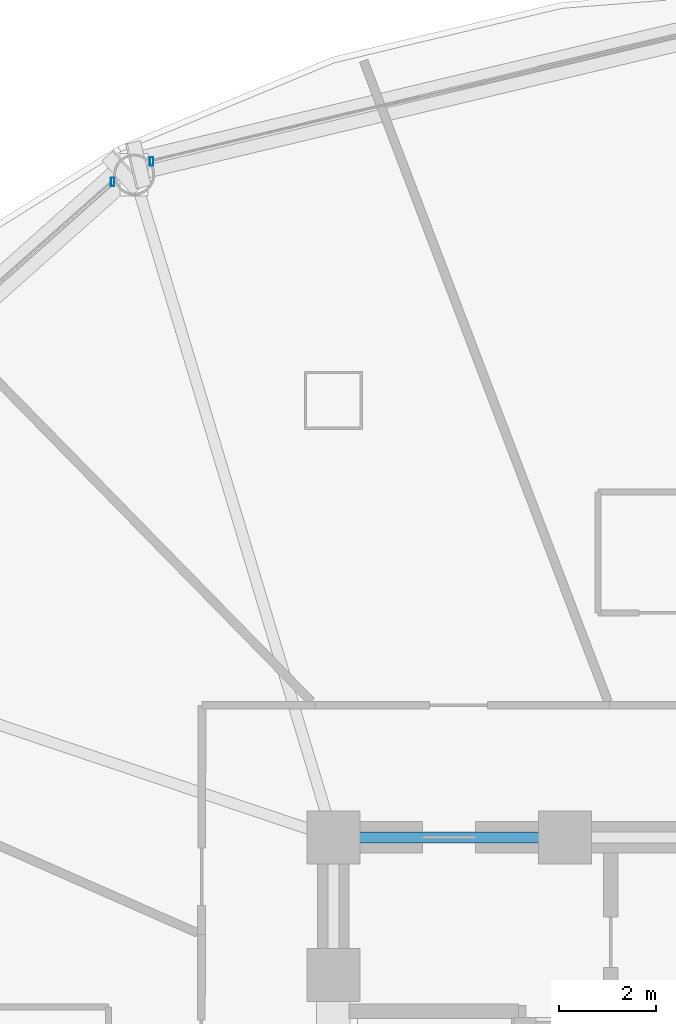
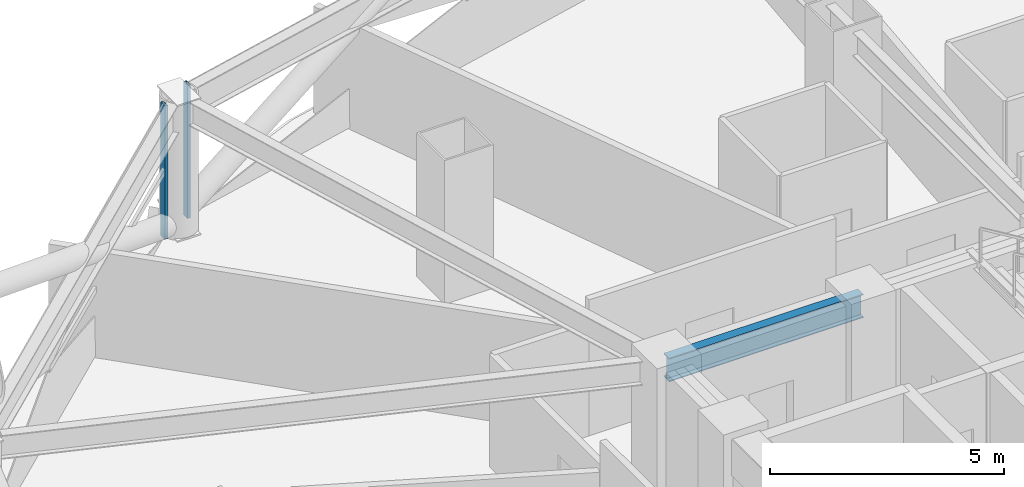
# One storey, part 15 of 30: 2 members, 1 beam, 2 elements without a shape of their own.
"""IFC4 building model written with IfcOpenShell, lengths in metres."""

from ifc_helpers import new_model, si_unit, direction, frame, origin, origin_2d, place, context, subcontext, project, spatial, hollow_rectangle, i_section, extrude, material, layer, layer_set, material_profile, profile_set, type_object, element, aggregate, save


model = new_model("IFC4")

# Units and contexts
model_context = context("Model", 3, precision=1e-05, world=origin(), true_north=direction((0.0, 1.0)))
body_context = subcontext(model_context, "Body", "Model", "MODEL_VIEW")
ifc_project = project(units=[si_unit("LENGTHUNIT", "METRE"), si_unit("AREAUNIT", "SQUARE_METRE"), si_unit("VOLUMEUNIT", "CUBIC_METRE"), si_unit("PLANEANGLEUNIT", "RADIAN"), si_unit("MASSUNIT", "GRAM", prefix="KILO")], contexts=[model_context])

# Site, building, storey
site_placement = place(None, origin())
site = spatial("IfcSite", under=ifc_project, at=site_placement, CompositionType="ELEMENT")
building_placement = place(site_placement, origin())
building = spatial("IfcBuilding", under=site, at=building_placement, Name="Vantalir Tower", CompositionType="ELEMENT")
storey_placement = place(building_placement, frame((0.0, 0.0, 57.0)))
storey = spatial("IfcBuildingStorey", under=building, at=storey_placement, Name="L13", CompositionType="ELEMENT", Elevation=57.0)

# Beam
ifc_material_1 = material(Name="Steel S355", Category="steel")
ifc_material_profile_1 = material_profile(ifc_material_1, i_section(OverallWidth=0.22998046875, OverallDepth=0.616943359375, WebThickness=0.01318359375, FlangeThickness=0.022216796875, at=origin_2d()), Name="Steel S355")
ifc_profile_set_1 = profile_set([ifc_material_profile_1], Name="Steel S355")
beam_type = type_object("IfcBeamType", Name="BM-RB-610x229", PredefinedType="BEAM", material=ifc_profile_set_1)
beam_placement = place(storey_placement, frame((26.699951171875, 32.449951171875, 3.261962890625), z_axis=(-1.0, 0.0, 0.0), x_axis=(0.0, -1.0, 0.0)))
element("IfcBeam", 1, at=beam_placement, inside=storey, type_object=beam_type, Name="L13 Core Coupling Girder 11", PredefinedType="BEAM", context=body_context, shape_type="SweptSolid", body=[
    extrude(i_section(OverallWidth=0.22998046875, OverallDepth=0.616943359375, WebThickness=0.01318359375, FlangeThickness=0.022216796875, at=origin_2d()), origin(), (0.0, 0.0, 1.0), 4.800048828125),
])

# Curtain wall, member
ifc_material_2 = material(Name="Champagne-silver PVDF aluminium and double-silver Low-E glass", Category="aluminium")
ifc_layer = layer(ifc_material_2, 0.18994140625)
ifc_layer_set = layer_set([ifc_layer], Name="Champagne-silver PVDF aluminium and double-silver Low-E glass")
curtain_wall_type = type_object("IfcCurtainWallType", Name="CW-DIAMOND-Z1", PredefinedType="USERDEFINED", material=ifc_layer_set)
curtain_wall_1_placement = place(storey_placement, origin())
curtain_wall_1 = element("IfcCurtainWall", 2, at=curtain_wall_1_placement, inside=storey, type_object=curtain_wall_type, Name="L13 Quilted Pyramid-Diamond Curtain Wall S04", ObjectType="UNITISED CURTAIN WALL", PredefinedType="USERDEFINED")
ifc_material_3 = material(Name="Champagne-silver PVDF aluminium 6063-T6", Category="aluminium")
ifc_material_profile_2 = material_profile(ifc_material_3, hollow_rectangle(XDim=0.074951171875, YDim=0.179931640625, WallThickness=0.00390625, at=origin_2d()), Name="Champagne-silver PVDF aluminium 6063-T6")
ifc_profile_set_2 = profile_set([ifc_material_profile_2], Name="Champagne-silver PVDF aluminium 6063-T6")
member_type = type_object("IfcMemberType", Name="CWM-180x75", PredefinedType="MULLION", material=ifc_profile_set_2)
member_1_placement = place(storey_placement, frame((18.136962890625, 46.448974609375, 0.044921875), z_axis=(0.0, 0.0, 1.0), x_axis=(1.0, 0.0, 0.0)))
member_1 = element("IfcMember", 3, at=member_1_placement, type_object=member_type, Name="CW-L13-S04 Mullion 2", PredefinedType="MULLION", context=body_context, shape_type="SweptSolid", body=[
    extrude(hollow_rectangle(XDim=0.074951171875, YDim=0.179931640625, WallThickness=0.00390625, at=origin_2d()), origin(), (0.0, 0.0, 1.0), 3.47998046875),
])
aggregate(curtain_wall_1, [member_1])

curtain_wall_2_placement = place(storey_placement, origin())
curtain_wall_2 = element("IfcCurtainWall", 4, at=curtain_wall_2_placement, inside=storey, type_object=curtain_wall_type, Name="L13 Quilted Pyramid-Diamond Curtain Wall S05", ObjectType="UNITISED CURTAIN WALL", PredefinedType="USERDEFINED")
member_2_placement = place(storey_placement, frame((17.3291015625, 46.027099609375, 0.044921875), z_axis=(0.0, 0.0, 1.0), x_axis=(1.0, 0.0, 0.0)))
member_2 = element("IfcMember", 5, at=member_2_placement, type_object=member_type, Name="CW-L13-S05 Mullion 1", PredefinedType="MULLION", context=body_context, shape_type="SweptSolid", body=[
    extrude(hollow_rectangle(XDim=0.074951171875, YDim=0.179931640625, WallThickness=0.00390625, at=origin_2d()), origin(), (0.0, 0.0, 1.0), 3.47998046875),
])
aggregate(curtain_wall_2, [member_2])

save(model, "model.ifc")
